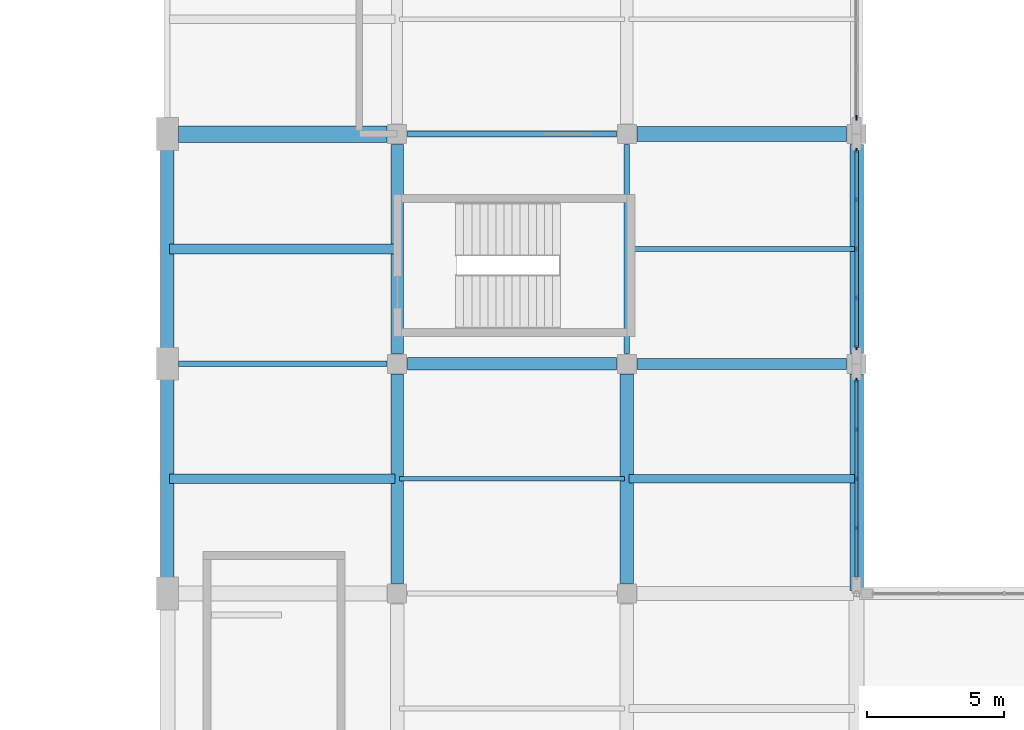
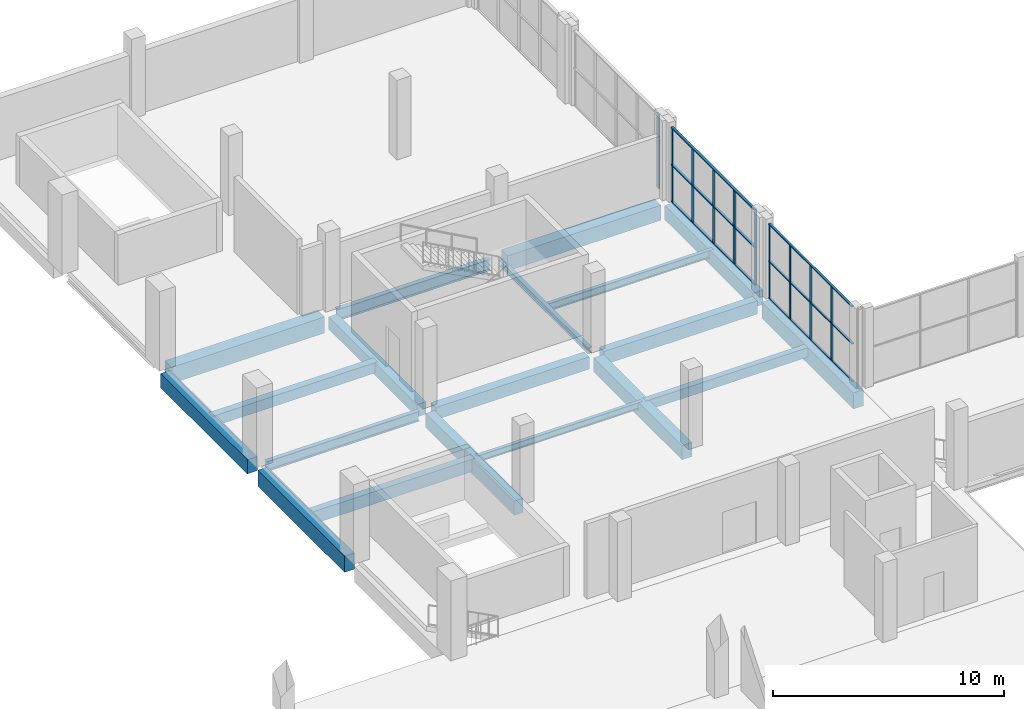
# One storey, part 15 of 59: 19 beams, 16 members, 3 elements without a shape of their own.
"""IFC4 building model written with IfcOpenShell, lengths in metres."""

import ifcopenshell
import ifcopenshell.guid

model = None  # the IFC model being written
_history = None  # IfcOwnerHistory: only IFC2X3 demands one
_inside = {}  # id of a spatial element -> (the spatial element, [elements in it])
_under = {}  # id of a project, library or spatial element -> (it, [spatial elements below it])
_declared = {}  # id of a project -> (the project, [libraries it declares])
_typed = {}  # id of a type object -> (the type object, [elements of that type])
_made_of = {}  # id of a material, layer set ... -> (it, [elements and type objects made of it])


def new_model(schema):
    """Start an empty IFC model of exactly this schema.

    Asked for "IFC4X3", IfcOpenShell would pick the latest addendum, in which some entities
    have other attributes; the version numbers below select the first issue.
    IFC2X3 requires an IfcOwnerHistory on every rooted entity: one is made here for all.
    """
    global model, _history
    if schema == "IFC4X3":
        model = ifcopenshell.file(schema_version=(4, 3, 0, 0))
    else:
        model = ifcopenshell.file(schema=schema)
    _inside.clear()
    _under.clear()
    _declared.clear()
    _typed.clear()
    _made_of.clear()
    _history = None
    if model.schema == "IFC2X3":
        org = make("IfcOrganization", Name="unknown")
        user = make(
            "IfcPersonAndOrganization",
            ThePerson=make("IfcPerson", FamilyName="unknown"),
            TheOrganization=org,
        )
        app = make(
            "IfcApplication",
            ApplicationDeveloper=org,
            Version="unknown",
            ApplicationFullName="unknown",
            ApplicationIdentifier="unknown",
        )
        _history = make(
            "IfcOwnerHistory",
            OwningUser=user,
            OwningApplication=app,
            ChangeAction="ADDED",
            CreationDate=0,
        )
    return model


def make(cls, **values):
    """One entity of the class cls with the attributes given. An attribute that is None is left unset."""
    return model.create_entity(
        cls, **{name: value for name, value in values.items() if value is not None}
    )


def rooted(cls, **values):
    """An entity with a GlobalId (a new one), such as an element, a storey or a relation."""
    return make(cls, GlobalId=ifcopenshell.guid.new(), OwnerHistory=_history, **values)


def si_unit(unit_type, name, prefix=None):
    """IfcSIUnit, for example si_unit("LENGTHUNIT", "METRE", prefix="MILLI")."""
    return make("IfcSIUnit", UnitType=unit_type, Prefix=prefix, Name=name)


def derived_unit(unit_type, elements):
    """IfcDerivedUnit: a product of units, each with its exponent."""
    return make(
        "IfcDerivedUnit",
        Elements=[
            make("IfcDerivedUnitElement", Unit=unit, Exponent=power)
            for unit, power in elements
        ],
        UnitType=unit_type,
    )


def assignment(units):
    """IfcUnitAssignment: the units of a project."""
    return None if units is None else make("IfcUnitAssignment", Units=units)


def point(xyz):
    """IfcCartesianPoint."""
    return None if xyz is None else make("IfcCartesianPoint", Coordinates=xyz)


def direction(xyz):
    """IfcDirection."""
    return None if xyz is None else make("IfcDirection", DirectionRatios=xyz)


def frame(location, z_axis=None, x_axis=None):
    """IfcAxis2Placement3D, a coordinate frame: its origin and axes. An axis left out is left unset."""
    return make(
        "IfcAxis2Placement3D",
        Location=point(location),
        Axis=direction(z_axis),
        RefDirection=direction(x_axis),
    )


def frame_2d(location, x_axis=None):
    """IfcAxis2Placement2D, a coordinate frame in the plane: its origin and x axis."""
    return make(
        "IfcAxis2Placement2D", Location=point(location), RefDirection=direction(x_axis)
    )


def origin():
    """The frame at (0, 0, 0) with its axes left unset."""
    return frame((0.0, 0.0, 0.0))


def origin_2d():
    """The frame at (0, 0) in the plane with its x axis left unset."""
    return frame_2d((0.0, 0.0))


def place(relative_to, where):
    """IfcLocalPlacement: puts the frame where relative to a parent placement (None: the world)."""
    return make(
        "IfcLocalPlacement", PlacementRelTo=relative_to, RelativePlacement=where
    )


def context(
    kind, dimensions, precision=None, world=None, true_north=None, identifier=None
):
    """IfcGeometricRepresentationContext, for example the 3D "Model" context."""
    return make(
        "IfcGeometricRepresentationContext",
        ContextIdentifier=identifier,
        ContextType=kind,
        CoordinateSpaceDimension=dimensions,
        Precision=precision,
        WorldCoordinateSystem=world,
        TrueNorth=true_north,
    )


def subcontext(parent, identifier, kind, view, scale=None):
    """IfcGeometricRepresentationSubContext, for example "Body" below "Model"."""
    return make(
        "IfcGeometricRepresentationSubContext",
        ContextIdentifier=identifier,
        ContextType=kind,
        ParentContext=parent,
        TargetScale=scale,
        TargetView=view,
    )


def project(units=None, contexts=None):
    """IfcProject with its units and contexts."""
    return rooted(
        "IfcProject",
        Name="project",
        RepresentationContexts=contexts,
        UnitsInContext=assignment(units),
    )


def spatial(cls, under=None, at=None, **own):
    """A site, building, storey or space (cls), placed at a placement, below another one or the project."""
    s = rooted(cls, ObjectPlacement=at, **own)
    if under is not None:
        _under.setdefault(under.id(), (under, []))[1].append(s)
    return s


def profile(cls, at=None, kind="AREA", **sizes):
    """A parametric profile (cls). Its sizes go by their IFC names, for example OverallWidth=200.0."""
    return make(cls, ProfileType=kind, Position=at, **sizes)


def rectangle(**sizes):
    """IfcRectangleProfileDef."""
    return profile("IfcRectangleProfileDef", **sizes)


def i_section(**sizes):
    """IfcIShapeProfileDef."""
    return profile("IfcIShapeProfileDef", **sizes)


def extrude(swept, where, along, depth):
    """IfcExtrudedAreaSolid: the profile swept, set in the frame where, extruded along a direction by depth."""
    return make(
        "IfcExtrudedAreaSolid",
        SweptArea=swept,
        Position=where,
        ExtrudedDirection=direction(along),
        Depth=depth,
    )


def shape(context_of_items, identifier, shape_type, items):
    """IfcShapeRepresentation: the items that make up one representation, for example the "Body"."""
    return make(
        "IfcShapeRepresentation",
        ContextOfItems=context_of_items,
        RepresentationIdentifier=identifier,
        RepresentationType=shape_type,
        Items=items,
    )


def material(Name=None, Category=None):
    """IfcMaterial."""
    return make("IfcMaterial", Name=Name, Category=Category)


def material_profile(
    of_material, cross_section, Name=None, Category=None, Priority=None
):
    """IfcMaterialProfile: a cross section and its material."""
    return make(
        "IfcMaterialProfile",
        Name=Name,
        Material=of_material,
        Profile=cross_section,
        Priority=Priority,
        Category=Category,
    )


def profile_set(profiles, Name=None, composite=None):
    """IfcMaterialProfileSet."""
    return make(
        "IfcMaterialProfileSet",
        Name=Name,
        MaterialProfiles=profiles,
        CompositeProfile=composite,
    )


def made_of(thing, what):
    """Note that an element or type object is made of a material, layer set ...; save() writes the relation."""
    if what is not None:
        _made_of.setdefault(what.id(), (what, []))[1].append(thing)
    return thing


def type_object(cls, material=None, **own):
    """A type object (cls), such as IfcWallType, which elements share."""
    return made_of(rooted(cls, **own), material)


def element(
    cls,
    number,
    at=None,
    inside=None,
    cuts=None,
    type_object=None,
    material=None,
    context=None,
    identifier="Body",
    shape_type=None,
    held_by="IfcProductDefinitionShape",
    body=None,
    shapes=None,
    **own,
):
    """One element of the class cls, such as IfcWall. Its Tag is "e" and its number.

    at: its placement. inside: the storey or other place that contains it. cuts: it is an
    opening in that element (IfcRelVoidsElement). A single representation is given by context,
    identifier, shape_type and body (its items); several are given by shapes. held_by: the class
    of the entity that holds the representations. save() writes the other relations.
    """
    e = rooted(cls, Tag="e%d" % number, ObjectPlacement=at, **own)
    if body is not None:
        shapes = [shape(context, identifier, shape_type, body)]
    if shapes is not None:
        e.Representation = make(held_by, Representations=shapes)
    if inside is not None:
        _inside.setdefault(inside.id(), (inside, []))[1].append(e)
    if cuts is not None:
        rooted(
            "IfcRelVoidsElement", RelatingBuildingElement=cuts, RelatedOpeningElement=e
        )
    if type_object is not None:
        _typed.setdefault(type_object.id(), (type_object, []))[1].append(e)
    return made_of(e, material)


def aggregate(whole, parts):
    """IfcRelAggregates: a whole, such as a stair, and the parts it consists of."""
    return rooted("IfcRelAggregates", RelatingObject=whole, RelatedObjects=parts)


def save(model, path):
    """Write the relations noted so far, then the file.

    IfcRelAggregates (storeys below a building ...), IfcRelContainedInSpatialStructure (elements
    in a storey), IfcRelDefinesByType, IfcRelAssociatesMaterial and IfcRelDeclares: one each for
    every whole, place, type object, material and project.
    """
    for whole, parts in _under.values():
        aggregate(whole, parts)
    for where, things in _inside.values():
        rooted(
            "IfcRelContainedInSpatialStructure",
            RelatedElements=things,
            RelatingStructure=where,
        )
    for kind, things in _typed.values():
        rooted("IfcRelDefinesByType", RelatedObjects=things, RelatingType=kind)
    for what, things in _made_of.values():
        rooted("IfcRelAssociatesMaterial", RelatedObjects=things, RelatingMaterial=what)
    for by, libraries in _declared.values():
        rooted("IfcRelDeclares", RelatingContext=by, RelatedDefinitions=libraries)
    model.write(path)


model = new_model("IFC4")

# Units and contexts
model_context = context("Model", 3, precision=1e-05, world=origin(), true_north=direction((0.0, 1.0)))
body_context = subcontext(model_context, "Body", "Model", "MODEL_VIEW")
ifc_project = project(units=[si_unit("LENGTHUNIT", "METRE"), si_unit("AREAUNIT", "SQUARE_METRE"), si_unit("VOLUMEUNIT", "CUBIC_METRE"), si_unit("PLANEANGLEUNIT", "RADIAN"), si_unit("MASSUNIT", "GRAM", prefix="KILO"), derived_unit("THERMALTRANSMITTANCEUNIT", [(si_unit("POWERUNIT", "WATT"), 1), (si_unit("LENGTHUNIT", "METRE"), -2), (si_unit("THERMODYNAMICTEMPERATUREUNIT", "KELVIN"), -1)])], contexts=[model_context])

# Site, building, storey
site_placement = place(None, origin())
site = spatial("IfcSite", under=ifc_project, at=site_placement, CompositionType="ELEMENT")
building_placement = place(site_placement, origin())
building = spatial("IfcBuilding", under=site, at=building_placement, Name="Barrovel Congress Hotel", CompositionType="ELEMENT")
storey_placement = place(building_placement, frame((0.0, 0.0, 9.89990234375)))
storey = spatial("IfcBuildingStorey", under=building, at=storey_placement, Name="L02", CompositionType="ELEMENT", Elevation=9.89990234375)

# Beams
ifc_material_1 = material(Name="Concrete C40", Category="concrete")
ifc_material_profile_1 = material_profile(ifc_material_1, rectangle(XDim=0.300048828125, YDim=0.5, at=origin_2d()), Name="RC300x500")
ifc_profile_set_1 = profile_set([ifc_material_profile_1], Name="Concrete C40")
beam_type_1 = type_object("IfcBeamType", Name="BM-RC300x500", PredefinedType="JOIST", material=ifc_profile_set_1)
beam_1_placement = place(storey_placement, frame((50.47998046875, 50.39990234375, -0.510009765625), z_axis=(1.0, 0.0, 0.0), x_axis=(0.0, 1.0, 0.0)))
element("IfcBeam", 1, at=beam_1_placement, inside=storey, type_object=beam_type_1, Name="JST:L02:50.4:50.4", PredefinedType="JOIST", context=body_context, shape_type="SweptSolid", body=[
    extrude(rectangle(XDim=0.300048828125, YDim=0.5, at=origin_2d()), origin(), (0.0, 0.0, 1.0), 8.239990234375),
])
ifc_material_profile_2 = material_profile(ifc_material_1, rectangle(XDim=0.35009765625, YDim=0.550048828125, at=origin_2d()), Name="RC350x550")
ifc_profile_set_2 = profile_set([ifc_material_profile_2], Name="Concrete C40")
beam_type_2 = type_object("IfcBeamType", Name="BM-RC350x550", PredefinedType="JOIST", material=ifc_profile_set_2)
beam_2_placement = place(storey_placement, frame((33.679931640625, 58.800048828125, -0.534912109375), z_axis=(1.0, 0.0, 0.0), x_axis=(0.0, 1.0, 0.0)))
element("IfcBeam", 2, at=beam_2_placement, inside=storey, type_object=beam_type_2, Name="JST:L02:33.6:58.8", PredefinedType="JOIST", context=body_context, shape_type="SweptSolid", body=[
    extrude(rectangle(XDim=0.35009765625, YDim=0.550048828125, at=origin_2d()), origin(), (0.0, 0.0, 1.0), 8.239990234375),
])
ifc_material_profile_3 = material_profile(ifc_material_1, rectangle(XDim=0.35009765625, YDim=0.64990234375, at=origin_2d()), Name="RC350x650")
ifc_profile_set_3 = profile_set([ifc_material_profile_3], Name="Concrete C40")
beam_type_3 = type_object("IfcBeamType", Name="BM-RC350x650", PredefinedType="JOIST", material=ifc_profile_set_3)
beam_3_placement = place(storey_placement, frame((33.679931640625, 50.39990234375, -0.5849609375), z_axis=(1.0, 0.0, 0.0), x_axis=(0.0, 1.0, 0.0)))
element("IfcBeam", 3, at=beam_3_placement, inside=storey, type_object=beam_type_3, Name="JST:L02:33.6:50.4", PredefinedType="JOIST", context=body_context, shape_type="SweptSolid", body=[
    extrude(rectangle(XDim=0.35009765625, YDim=0.64990234375, at=origin_2d()), origin(), (0.0, 0.0, 1.0), 8.239990234375),
])
ifc_material_profile_4 = material_profile(ifc_material_1, rectangle(XDim=0.39990234375, YDim=0.699951171875, at=origin_2d()), Name="RC400x700")
ifc_profile_set_4 = profile_set([ifc_material_profile_4], Name="Concrete C40")
beam_type_4 = type_object("IfcBeamType", Name="BM-RC400x700", PredefinedType="BEAM", material=ifc_profile_set_4)
beam_4_placement = place(storey_placement, frame((50.77490234375, 54.60009765625, -0.60986328125), z_axis=(1.0, 0.0, 0.0), x_axis=(0.0, 1.0, 0.0)))
element("IfcBeam", 4, at=beam_4_placement, inside=storey, type_object=beam_type_4, Name="BMX:L02:54.6:50.4-58.8", PredefinedType="BEAM", context=body_context, shape_type="SweptSolid", body=[
    extrude(rectangle(XDim=0.39990234375, YDim=0.699951171875, at=origin_2d()), origin(), (0.0, 0.0, 1.0), 7.650146484375),
])
ifc_material_profile_5 = material_profile(ifc_material_1, rectangle(XDim=0.449951171875, YDim=0.64990234375, at=origin_2d()), Name="RC450x650")
ifc_profile_set_5 = profile_set([ifc_material_profile_5], Name="Concrete C40")
beam_type_5 = type_object("IfcBeamType", Name="BM-RC450x650", PredefinedType="BEAM", material=ifc_profile_set_5)
for number, where, z_axis, x_axis, name in (
    (5, (42.375, 54.60009765625, -0.5849609375), (1.0, 0.0, 0.0), (0.0, 1.0, 0.0), "BMX:L02:54.6:42.0-50.4"),
    (6, (42.0, 54.97509765625, -0.5849609375), (0.0, 1.0, 0.0), (-1.0, 0.0, 0.0), "BMY:L02:42.0:54.6-63.0"),
):
    element("IfcBeam", number, at=place(storey_placement, frame(where, z_axis=z_axis, x_axis=x_axis)), inside=storey, type_object=beam_type_5, Name=name, PredefinedType="BEAM", context=body_context, shape_type="SweptSolid", body=[
        extrude(rectangle(XDim=0.449951171875, YDim=0.64990234375, at=origin_2d()), origin(), (0.0, 0.0, 1.0), 7.64990234375),
    ])
ifc_material_profile_6 = material_profile(ifc_material_1, rectangle(XDim=0.449951171875, YDim=0.75, at=origin_2d()), Name="RC450x750")
ifc_profile_set_6 = profile_set([ifc_material_profile_6], Name="Concrete C40")
beam_type_6 = type_object("IfcBeamType", Name="BM-RC450x750", PredefinedType="BEAM", material=ifc_profile_set_6)
beam_5_placement = place(storey_placement, frame((42.0, 46.574951171875, -0.635009765625), z_axis=(0.0, 1.0, 0.0), x_axis=(-1.0, 0.0, 0.0)))
element("IfcBeam", 7, at=beam_5_placement, inside=storey, type_object=beam_type_6, Name="BMY:L02:42.0:46.2-54.6", PredefinedType="BEAM", context=body_context, shape_type="SweptSolid", body=[
    extrude(rectangle(XDim=0.449951171875, YDim=0.75, at=origin_2d()), origin(), (0.0, 0.0, 1.0), 7.650146484375),
])
ifc_material_profile_7 = material_profile(ifc_material_1, rectangle(XDim=0.5, YDim=0.75, at=origin_2d()), Name="RC500x750")
ifc_profile_set_7 = profile_set([ifc_material_profile_7], Name="Concrete C40")
beam_type_7 = type_object("IfcBeamType", Name="BM-RC500x750", PredefinedType="BEAM", material=ifc_profile_set_7)
beam_6_placement = place(storey_placement, frame((33.60009765625, 55.050048828125, -0.635009765625), z_axis=(0.0, 1.0, 0.0), x_axis=(-1.0, 0.0, 0.0)))
element("IfcBeam", 8, at=beam_6_placement, inside=storey, type_object=beam_type_7, Name="BMY:L02:33.6:54.6-63.0", PredefinedType="BEAM", context=body_context, shape_type="SweptSolid", body=[
    extrude(rectangle(XDim=0.5, YDim=0.75, at=origin_2d()), origin(), (0.0, 0.0, 1.0), 7.5),
])
beam_7_placement = place(storey_placement, frame((50.39990234375, 46.574951171875, -0.635009765625), z_axis=(0.0, 1.0, 0.0), x_axis=(-1.0, 0.0, 0.0)))
element("IfcBeam", 9, at=beam_7_placement, inside=storey, type_object=beam_type_7, Name="BMY:L02:50.4:46.2-54.6", PredefinedType="BEAM", context=body_context, shape_type="SweptSolid", body=[
    extrude(rectangle(XDim=0.5, YDim=0.75, at=origin_2d()), origin(), (0.0, 0.0, 1.0), 7.650146484375),
])
beam_8_placement = place(storey_placement, frame((58.800048828125, 54.97509765625, -0.635009765625), z_axis=(0.0, 1.0, 0.0), x_axis=(-1.0, 0.0, 0.0)))
element("IfcBeam", 10, at=beam_8_placement, inside=storey, type_object=beam_type_7, Name="BMY:L02:58.8:54.6-63.0", PredefinedType="BEAM", context=body_context, shape_type="SweptSolid", body=[
    extrude(rectangle(XDim=0.5, YDim=0.75, at=origin_2d()), origin(), (0.0, 0.0, 1.0), 7.64990234375),
])
ifc_material_profile_8 = material_profile(ifc_material_1, rectangle(XDim=0.5, YDim=0.85009765625, at=origin_2d()), Name="RC500x850")
ifc_profile_set_8 = profile_set([ifc_material_profile_8], Name="Concrete C40")
beam_type_8 = type_object("IfcBeamType", Name="BM-RC500x850", PredefinedType="BEAM", material=ifc_profile_set_8)
beam_9_placement = place(storey_placement, frame((33.60009765625, 46.64990234375, -0.684814453125), z_axis=(0.0, 1.0, 0.0), x_axis=(-1.0, 0.0, 0.0)))
element("IfcBeam", 11, at=beam_9_placement, inside=storey, type_object=beam_type_8, Name="BMY:L02:33.6:46.2-54.6", PredefinedType="BEAM", context=body_context, shape_type="SweptSolid", body=[
    extrude(rectangle(XDim=0.5, YDim=0.85009765625, at=origin_2d()), origin(), (0.0, 0.0, 1.0), 7.5),
])
beam_10_placement = place(storey_placement, frame((58.800048828125, 46.3095703125, -0.684814453125), z_axis=(0.0, 1.0, 0.0), x_axis=(-1.0, 0.0, 0.0)))
element("IfcBeam", 12, at=beam_10_placement, inside=storey, type_object=beam_type_8, Name="BMY:L02:58.8:46.2-54.6", PredefinedType="BEAM", context=body_context, shape_type="SweptSolid", body=[
    extrude(rectangle(XDim=0.5, YDim=0.85009765625, at=origin_2d()), origin(), (0.0, 0.0, 1.0), 7.91552734375),
])
ifc_material_profile_9 = material_profile(ifc_material_1, rectangle(XDim=0.550048828125, YDim=0.800048828125, at=origin_2d()), Name="RC550x800")
ifc_profile_set_9 = profile_set([ifc_material_profile_9], Name="Concrete C40")
beam_type_9 = type_object("IfcBeamType", Name="BM-RC550x800", PredefinedType="BEAM", material=ifc_profile_set_9)
beam_11_placement = place(storey_placement, frame((50.77490234375, 63.0, -0.659912109375), z_axis=(1.0, 0.0, 0.0), x_axis=(0.0, 1.0, 0.0)))
element("IfcBeam", 13, at=beam_11_placement, inside=storey, type_object=beam_type_9, Name="BMX:L02:63.0:50.4-58.8", PredefinedType="BEAM", context=body_context, shape_type="SweptSolid", body=[
    extrude(rectangle(XDim=0.550048828125, YDim=0.800048828125, at=origin_2d()), origin(), (0.0, 0.0, 1.0), 7.650146484375),
])
ifc_material_profile_10 = material_profile(ifc_material_1, rectangle(XDim=0.60009765625, YDim=0.85009765625, at=origin_2d()), Name="RC600x850")
ifc_profile_set_10 = profile_set([ifc_material_profile_10], Name="Concrete C40")
beam_type_10 = type_object("IfcBeamType", Name="BM-RC600x850", PredefinedType="BEAM", material=ifc_profile_set_10)
beam_12_placement = place(storey_placement, frame((34.0, 63.0, -0.684814453125), z_axis=(1.0, 0.0, 0.0), x_axis=(0.0, 1.0, 0.0)))
element("IfcBeam", 14, at=beam_12_placement, inside=storey, type_object=beam_type_10, Name="BMX:L02:63.0:33.6-42.0", PredefinedType="BEAM", context=body_context, shape_type="SweptSolid", body=[
    extrude(rectangle(XDim=0.60009765625, YDim=0.85009765625, at=origin_2d()), origin(), (0.0, 0.0, 1.0), 7.625),
])

# Curtain wall, members
ifc_material_2 = material(Name="Anodised Aluminium Alloy 6063-T6", Category="aluminium")
curtain_wall_type = type_object("IfcCurtainWallType", Name="CW-ST-7200x3600", PredefinedType="USERDEFINED", material=ifc_material_2)
curtain_wall_1_placement = place(storey_placement, origin())
curtain_wall_1 = element("IfcCurtainWall", 15, at=curtain_wall_1_placement, inside=storey, type_object=curtain_wall_type, Name="CW:L02:CW:46.2", ObjectType="STICK CURTAIN WALL", PredefinedType="USERDEFINED")
ifc_material_profile_11 = material_profile(ifc_material_2, rectangle(XDim=0.06005859375, YDim=0.139892578125, at=origin_2d()), Name="AL-M60x140")
ifc_profile_set_11 = profile_set([ifc_material_profile_11], Name="Anodised Aluminium Alloy 6063-T6")
member_type_1 = type_object("IfcMemberType", Name="CWM-AL-M60x140", PredefinedType="MULLION", material=ifc_profile_set_11)
member_1_placement = place(storey_placement, frame((58.800048828125, 48.60009765625, 0.0), z_axis=(0.0, 0.0, 1.0), x_axis=(1.0, 0.0, 0.0)))
member_1 = element("IfcMember", 16, at=member_1_placement, type_object=member_type_1, Name="CW:L02:CW:46.2:M1", PredefinedType="MULLION", context=body_context, shape_type="SweptSolid", body=[
    extrude(rectangle(XDim=0.06005859375, YDim=0.139892578125, at=origin_2d()), origin(), (0.0, 0.0, 1.0), 3.920166015625),
])
member_2_placement = place(storey_placement, frame((58.800048828125, 50.39990234375, 0.0), z_axis=(0.0, 0.0, 1.0), x_axis=(1.0, 0.0, 0.0)))
member_2 = element("IfcMember", 17, at=member_2_placement, type_object=member_type_1, Name="CW:L02:CW:46.2:M2", PredefinedType="MULLION", context=body_context, shape_type="SweptSolid", body=[
    extrude(rectangle(XDim=0.06005859375, YDim=0.139892578125, at=origin_2d()), origin(), (0.0, 0.0, 1.0), 3.920166015625),
])
member_3_placement = place(storey_placement, frame((58.800048828125, 52.199951171875, 0.0), z_axis=(0.0, 0.0, 1.0), x_axis=(1.0, 0.0, 0.0)))
member_3 = element("IfcMember", 18, at=member_3_placement, type_object=member_type_1, Name="CW:L02:CW:46.2:M3", PredefinedType="MULLION", context=body_context, shape_type="SweptSolid", body=[
    extrude(rectangle(XDim=0.06005859375, YDim=0.139892578125, at=origin_2d()), origin(), (0.0, 0.0, 1.0), 3.920166015625),
])
member_4_placement = place(storey_placement, frame((58.800048828125, 54.0, 0.0), z_axis=(0.0, 0.0, 1.0), x_axis=(1.0, 0.0, 0.0)))
member_4 = element("IfcMember", 19, at=member_4_placement, type_object=member_type_1, Name="CW:L02:CW:46.2:M4", PredefinedType="MULLION", context=body_context, shape_type="SweptSolid", body=[
    extrude(rectangle(XDim=0.06005859375, YDim=0.139892578125, at=origin_2d()), origin(), (0.0, 0.0, 1.0), 3.920166015625),
])

curtain_wall_2_placement = place(storey_placement, origin())
curtain_wall_2 = element("IfcCurtainWall", 20, at=curtain_wall_2_placement, inside=storey, type_object=curtain_wall_type, Name="CW:L02:CW:54.6", ObjectType="STICK CURTAIN WALL", PredefinedType="USERDEFINED")
ifc_material_profile_12 = material_profile(ifc_material_2, rectangle(XDim=0.06005859375, YDim=0.1650390625, at=origin_2d()), Name="AL-M60x165")
ifc_profile_set_12 = profile_set([ifc_material_profile_12], Name="Anodised Aluminium Alloy 6063-T6")
member_type_2 = type_object("IfcMemberType", Name="CWM-AL-M60x165", PredefinedType="MULLION", material=ifc_profile_set_12)
member_5_placement = place(storey_placement, frame((58.800048828125, 55.199951171875, 0.0), z_axis=(0.0, 0.0, 1.0), x_axis=(1.0, 0.0, 0.0)))
member_5 = element("IfcMember", 21, at=member_5_placement, type_object=member_type_2, Name="CW:L02:CW:54.6:M0", PredefinedType="MULLION", context=body_context, shape_type="SweptSolid", body=[
    extrude(rectangle(XDim=0.06005859375, YDim=0.1650390625, at=origin_2d()), origin(), (0.0, 0.0, 1.0), 3.920166015625),
])
member_6_placement = place(storey_placement, frame((58.800048828125, 57.0, 0.0), z_axis=(0.0, 0.0, 1.0), x_axis=(1.0, 0.0, 0.0)))
member_6 = element("IfcMember", 22, at=member_6_placement, type_object=member_type_2, Name="CW:L02:CW:54.6:M1", PredefinedType="MULLION", context=body_context, shape_type="SweptSolid", body=[
    extrude(rectangle(XDim=0.06005859375, YDim=0.1650390625, at=origin_2d()), origin(), (0.0, 0.0, 1.0), 3.920166015625),
])
member_7_placement = place(storey_placement, frame((58.800048828125, 58.800048828125, 0.0), z_axis=(0.0, 0.0, 1.0), x_axis=(1.0, 0.0, 0.0)))
member_7 = element("IfcMember", 23, at=member_7_placement, type_object=member_type_2, Name="CW:L02:CW:54.6:M2", PredefinedType="MULLION", context=body_context, shape_type="SweptSolid", body=[
    extrude(rectangle(XDim=0.06005859375, YDim=0.1650390625, at=origin_2d()), origin(), (0.0, 0.0, 1.0), 3.920166015625),
])
member_8_placement = place(storey_placement, frame((58.800048828125, 60.60009765625, 0.0), z_axis=(0.0, 0.0, 1.0), x_axis=(1.0, 0.0, 0.0)))
member_8 = element("IfcMember", 24, at=member_8_placement, type_object=member_type_2, Name="CW:L02:CW:54.6:M3", PredefinedType="MULLION", context=body_context, shape_type="SweptSolid", body=[
    extrude(rectangle(XDim=0.06005859375, YDim=0.1650390625, at=origin_2d()), origin(), (0.0, 0.0, 1.0), 3.920166015625),
])
member_9_placement = place(storey_placement, frame((58.800048828125, 62.39990234375, 0.0), z_axis=(0.0, 0.0, 1.0), x_axis=(1.0, 0.0, 0.0)))
member_9 = element("IfcMember", 25, at=member_9_placement, type_object=member_type_2, Name="CW:L02:CW:54.6:M4", PredefinedType="MULLION", context=body_context, shape_type="SweptSolid", body=[
    extrude(rectangle(XDim=0.06005859375, YDim=0.1650390625, at=origin_2d()), origin(), (0.0, 0.0, 1.0), 3.920166015625),
])

# Curtain wall, member
curtain_wall_3_placement = place(storey_placement, origin())
curtain_wall_3 = element("IfcCurtainWall", 26, at=curtain_wall_3_placement, inside=storey, type_object=curtain_wall_type, Name="CW:L02:CW:63.0", ObjectType="STICK CURTAIN WALL", PredefinedType="USERDEFINED")
ifc_material_profile_13 = material_profile(ifc_material_2, rectangle(XDim=0.06494140625, YDim=0.18994140625, at=origin_2d()), Name="AL-M65x190")
ifc_profile_set_13 = profile_set([ifc_material_profile_13], Name="Anodised Aluminium Alloy 6063-T6")
member_type_3 = type_object("IfcMemberType", Name="CWM-AL-M65x190", PredefinedType="MULLION", material=ifc_profile_set_13)
member_10_placement = place(storey_placement, frame((58.800048828125, 63.60009765625, 0.0), z_axis=(0.0, 0.0, 1.0), x_axis=(1.0, 0.0, 0.0)))
member_10 = element("IfcMember", 27, at=member_10_placement, type_object=member_type_3, Name="CW:L02:CW:63.0:M0", PredefinedType="MULLION", context=body_context, shape_type="SweptSolid", body=[
    extrude(rectangle(XDim=0.06494140625, YDim=0.18994140625, at=origin_2d()), origin(), (0.0, 0.0, 1.0), 3.920166015625),
])
aggregate(curtain_wall_3, [member_10])

# Member
ifc_material_profile_14 = material_profile(ifc_material_2, rectangle(XDim=0.10498046875, YDim=0.06005859375, at=origin_2d()), Name="AL-T60x105")
ifc_profile_set_14 = profile_set([ifc_material_profile_14], Name="Anodised Aluminium Alloy 6063-T6")
member_type_4 = type_object("IfcMemberType", Name="CWT-AL-T60x105", PredefinedType="USERDEFINED", material=ifc_profile_set_14)
member_11_placement = place(storey_placement, frame((58.800048828125, 46.800048828125, 0.0), z_axis=(0.0, 1.0, 0.0), x_axis=(-1.0, 0.0, 0.0)))
member_11 = element("IfcMember", 28, at=member_11_placement, type_object=member_type_4, Name="CW:L02:CW:46.2:T0", ObjectType="TRANSOM", PredefinedType="USERDEFINED", context=body_context, shape_type="SweptSolid", body=[
    extrude(rectangle(XDim=0.10498046875, YDim=0.06005859375, at=origin_2d()), origin(), (0.0, 0.0, 1.0), 7.199951171875),
])

member_12_placement = place(storey_placement, frame((58.800048828125, 46.800048828125, 1.960205078125), z_axis=(0.0, 1.0, 0.0), x_axis=(-1.0, 0.0, 0.0)))
member_12 = element("IfcMember", 29, at=member_12_placement, type_object=member_type_4, Name="CW:L02:CW:46.2:T1", ObjectType="TRANSOM", PredefinedType="USERDEFINED", context=body_context, shape_type="SweptSolid", body=[
    extrude(rectangle(XDim=0.10498046875, YDim=0.06005859375, at=origin_2d()), origin(), (0.0, 0.0, 1.0), 7.199951171875),
])

member_13_placement = place(storey_placement, frame((58.800048828125, 46.800048828125, 3.920166015625), z_axis=(0.0, 1.0, 0.0), x_axis=(-1.0, 0.0, 0.0)))
member_13 = element("IfcMember", 30, at=member_13_placement, type_object=member_type_4, Name="CW:L02:CW:46.2:T2", ObjectType="TRANSOM", PredefinedType="USERDEFINED", context=body_context, shape_type="SweptSolid", body=[
    extrude(rectangle(XDim=0.10498046875, YDim=0.06005859375, at=origin_2d()), origin(), (0.0, 0.0, 1.0), 7.199951171875),
])

aggregate(curtain_wall_1, [member_1, member_2, member_3, member_4, member_11, member_12, member_13])

ifc_material_profile_15 = material_profile(ifc_material_2, rectangle(XDim=0.125, YDim=0.06005859375, at=origin_2d()), Name="AL-T60x125")
ifc_profile_set_15 = profile_set([ifc_material_profile_15], Name="Anodised Aluminium Alloy 6063-T6")
member_type_5 = type_object("IfcMemberType", Name="CWT-AL-T60x125", PredefinedType="USERDEFINED", material=ifc_profile_set_15)
member_14_placement = place(storey_placement, frame((58.800048828125, 55.199951171875, 0.0), z_axis=(0.0, 1.0, 0.0), x_axis=(-1.0, 0.0, 0.0)))
member_14 = element("IfcMember", 31, at=member_14_placement, type_object=member_type_5, Name="CW:L02:CW:54.6:T0", ObjectType="TRANSOM", PredefinedType="USERDEFINED", context=body_context, shape_type="SweptSolid", body=[
    extrude(rectangle(XDim=0.125, YDim=0.06005859375, at=origin_2d()), origin(), (0.0, 0.0, 1.0), 7.199951171875),
])

member_15_placement = place(storey_placement, frame((58.800048828125, 55.199951171875, 1.960205078125), z_axis=(0.0, 1.0, 0.0), x_axis=(-1.0, 0.0, 0.0)))
member_15 = element("IfcMember", 32, at=member_15_placement, type_object=member_type_5, Name="CW:L02:CW:54.6:T1", ObjectType="TRANSOM", PredefinedType="USERDEFINED", context=body_context, shape_type="SweptSolid", body=[
    extrude(rectangle(XDim=0.125, YDim=0.06005859375, at=origin_2d()), origin(), (0.0, 0.0, 1.0), 7.199951171875),
])

member_16_placement = place(storey_placement, frame((58.800048828125, 55.199951171875, 3.920166015625), z_axis=(0.0, 1.0, 0.0), x_axis=(-1.0, 0.0, 0.0)))
member_16 = element("IfcMember", 33, at=member_16_placement, type_object=member_type_5, Name="CW:L02:CW:54.6:T2", ObjectType="TRANSOM", PredefinedType="USERDEFINED", context=body_context, shape_type="SweptSolid", body=[
    extrude(rectangle(XDim=0.125, YDim=0.06005859375, at=origin_2d()), origin(), (0.0, 0.0, 1.0), 7.199951171875),
])

aggregate(curtain_wall_2, [member_5, member_6, member_7, member_8, member_9, member_14, member_15, member_16])

# Beams
ifc_material_3 = material(Name="Steel ASTM A992 Grade 50", Category="steel")
ifc_material_profile_16 = material_profile(ifc_material_3, i_section(OverallWidth=0.205078125, OverallDepth=0.31005859375, WebThickness=0.009521484375, FlangeThickness=0.016357421875, FilletRadius=0.012939453125, at=origin_2d()), Name="W310x74")
ifc_profile_set_16 = profile_set([ifc_material_profile_16], Name="Steel ASTM A992 Grade 50")
beam_type_11 = type_object("IfcBeamType", Name="SBM-W310x74", PredefinedType="SPANDREL", material=ifc_profile_set_16)
beam_13_placement = place(storey_placement, frame((50.39990234375, 54.97509765625, -0.414794921875), z_axis=(0.0, 1.0, 0.0), x_axis=(-1.0, 0.0, 0.0)))
element("IfcBeam", 34, at=beam_13_placement, inside=storey, type_object=beam_type_11, Name="BMY:L02:50.4:54.6-63.0", PredefinedType="SPANDREL", context=body_context, shape_type="SweptSolid", body=[
    extrude(i_section(OverallWidth=0.205078125, OverallDepth=0.31005859375, WebThickness=0.009521484375, FlangeThickness=0.016357421875, FilletRadius=0.012939453125, at=origin_2d()), origin(), (0.0, 0.0, 1.0), 7.64990234375),
])
ifc_material_profile_17 = material_profile(ifc_material_3, i_section(OverallWidth=0.1708984375, OverallDepth=0.35205078125, WebThickness=0.0068359375, FlangeThickness=0.009765625, FilletRadius=0.011962890625, at=origin_2d()), Name="W360x44")
ifc_profile_set_17 = profile_set([ifc_material_profile_17], Name="Steel ASTM A992 Grade 50")
beam_type_12 = type_object("IfcBeamType", Name="SBM-W360x44", PredefinedType="JOIST", material=ifc_profile_set_17)
beam_14_placement = place(storey_placement, frame((42.080078125, 50.39990234375, -0.435791015625), z_axis=(1.0, 0.0, 0.0), x_axis=(0.0, 1.0, 0.0)))
element("IfcBeam", 35, at=beam_14_placement, inside=storey, type_object=beam_type_12, Name="JST:L02:42.0:50.4", PredefinedType="JOIST", context=body_context, shape_type="SweptSolid", body=[
    extrude(i_section(OverallWidth=0.1708984375, OverallDepth=0.35205078125, WebThickness=0.0068359375, FlangeThickness=0.009765625, FilletRadius=0.011962890625, at=origin_2d()), origin(), (0.0, 0.0, 1.0), 8.239990234375),
])
ifc_material_profile_18 = material_profile(ifc_material_3, i_section(OverallWidth=0.177001953125, OverallDepth=0.403076171875, WebThickness=0.007568359375, FlangeThickness=0.010986328125, FilletRadius=0.011962890625, at=origin_2d()), Name="W410x53")
ifc_profile_set_18 = profile_set([ifc_material_profile_18], Name="Steel ASTM A992 Grade 50")
beam_type_13 = type_object("IfcBeamType", Name="SBM-W410x53", PredefinedType="JOIST", material=ifc_profile_set_18)
beam_15_placement = place(storey_placement, frame((50.47998046875, 58.800048828125, -0.46142578125), z_axis=(1.0, 0.0, 0.0), x_axis=(0.0, 1.0, 0.0)))
element("IfcBeam", 36, at=beam_15_placement, inside=storey, type_object=beam_type_13, Name="JST:L02:50.4:58.8", PredefinedType="JOIST", context=body_context, shape_type="SweptSolid", body=[
    extrude(i_section(OverallWidth=0.177001953125, OverallDepth=0.403076171875, WebThickness=0.007568359375, FlangeThickness=0.010986328125, FilletRadius=0.011962890625, at=origin_2d()), origin(), (0.0, 0.0, 1.0), 8.239990234375),
])
ifc_material_profile_19 = material_profile(ifc_material_3, i_section(OverallWidth=0.208984375, OverallDepth=0.532958984375, WebThickness=0.01025390625, FlangeThickness=0.015625, FilletRadius=0.013916015625, at=origin_2d()), Name="W530x92")
ifc_profile_set_19 = profile_set([ifc_material_profile_19], Name="Steel ASTM A992 Grade 50")
beam_type_14 = type_object("IfcBeamType", Name="SBM-W530x92", PredefinedType="BEAM", material=ifc_profile_set_19)
beam_16_placement = place(storey_placement, frame((34.0, 54.60009765625, -0.5263671875), z_axis=(1.0, 0.0, 0.0), x_axis=(0.0, 1.0, 0.0)))
element("IfcBeam", 37, at=beam_16_placement, inside=storey, type_object=beam_type_14, Name="BMX:L02:54.6:33.6-42.0", PredefinedType="BEAM", context=body_context, shape_type="SweptSolid", body=[
    extrude(i_section(OverallWidth=0.208984375, OverallDepth=0.532958984375, WebThickness=0.01025390625, FlangeThickness=0.015625, FilletRadius=0.013916015625, at=origin_2d()), origin(), (0.0, 0.0, 1.0), 7.625),
])
ifc_material_profile_20 = material_profile(ifc_material_3, i_section(OverallWidth=0.22802734375, OverallDepth=0.60302734375, WebThickness=0.010498046875, FlangeThickness=0.014892578125, FilletRadius=0.014892578125, at=origin_2d()), Name="W610x101")
ifc_profile_set_20 = profile_set([ifc_material_profile_20], Name="Steel ASTM A992 Grade 50")
beam_type_15 = type_object("IfcBeamType", Name="SBM-W610x101", PredefinedType="BEAM", material=ifc_profile_set_20)
beam_17_placement = place(storey_placement, frame((42.375, 63.0, -0.5615234375), z_axis=(1.0, 0.0, 0.0), x_axis=(0.0, 1.0, 0.0)))
element("IfcBeam", 38, at=beam_17_placement, inside=storey, type_object=beam_type_15, Name="BMX:L02:63.0:42.0-50.4", PredefinedType="BEAM", context=body_context, shape_type="SweptSolid", body=[
    extrude(i_section(OverallWidth=0.22802734375, OverallDepth=0.60302734375, WebThickness=0.010498046875, FlangeThickness=0.014892578125, FilletRadius=0.014892578125, at=origin_2d()), origin(), (0.0, 0.0, 1.0), 7.64990234375),
])

save(model, "model.ifc")
